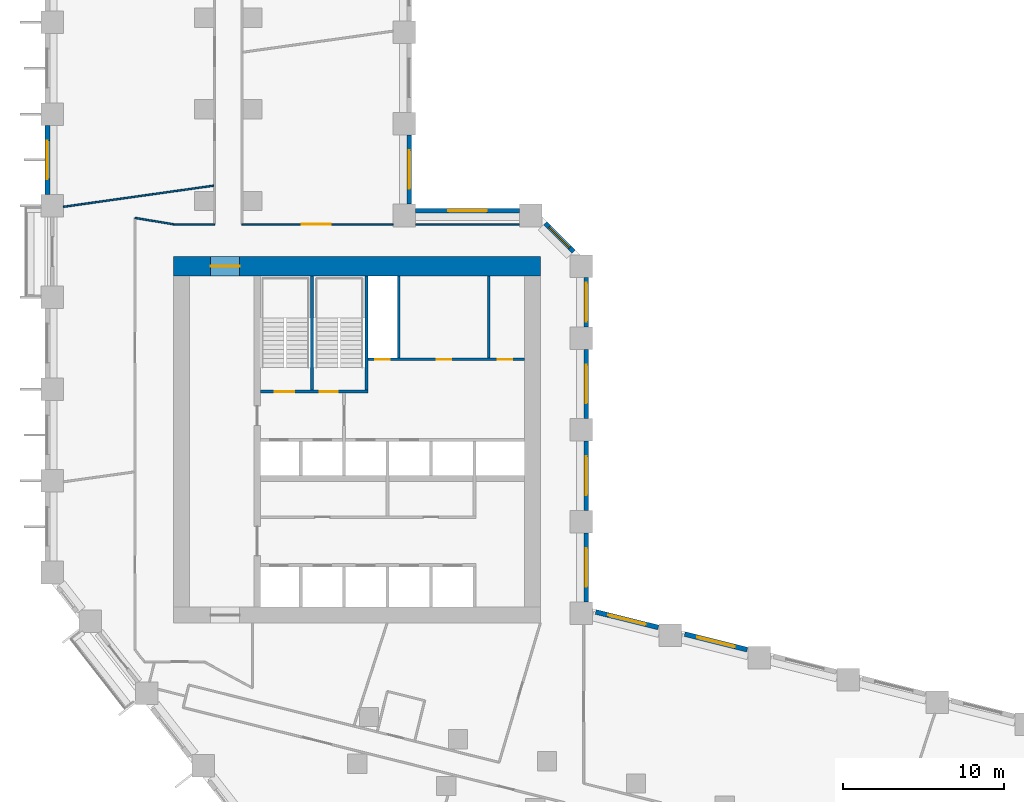
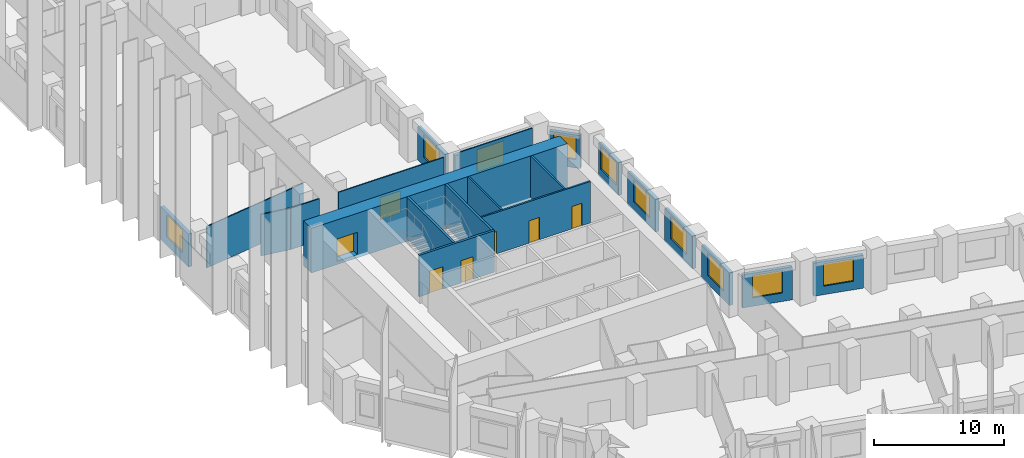
# One storey, part 6 of 12: 22 walls, 10 windows, 7 doors, 17 openings.
"""IFC4 building model written with IfcOpenShell, lengths in metres."""

from ifc_helpers import new_model, si_unit, direction, frame, frame_2d, origin, place, context, subcontext, project, spatial, rectangle, extrude, material, layer, layer_set, type_object, element, fill, save


model = new_model("IFC4")

# Units and contexts
model_context = context("Model", 3, precision=1e-05, world=origin(), true_north=direction((0.0, 1.0)))
body_context = subcontext(model_context, "Body", "Model", "MODEL_VIEW")
ifc_project = project(units=[si_unit("LENGTHUNIT", "METRE"), si_unit("AREAUNIT", "SQUARE_METRE"), si_unit("VOLUMEUNIT", "CUBIC_METRE"), si_unit("PLANEANGLEUNIT", "RADIAN"), si_unit("MASSUNIT", "GRAM", prefix="KILO")], contexts=[model_context])

# Site, building, storey
site_placement = place(None, origin())
site = spatial("IfcSite", under=ifc_project, at=site_placement, CompositionType="ELEMENT")
building_placement = place(site_placement, origin())
building = spatial("IfcBuilding", under=site, at=building_placement, Name="Meshkara Civic Tower", CompositionType="ELEMENT")
storey_placement = place(building_placement, frame((0.0, 0.0, 66.60009765625)))
storey = spatial("IfcBuildingStorey", under=building, at=storey_placement, Name="L14", CompositionType="ELEMENT", Elevation=66.60009765625)

# Wall, openings, doors
ifc_material_1 = material(Name="Blockwork", Category="masonry")
ifc_layer_1 = layer(ifc_material_1, 0.14990234375)
ifc_layer_set_1 = layer_set([ifc_layer_1], Name="Core partition 150")
wall_type_1 = type_object("IfcWallType", Name="Core partition 150", PredefinedType="PARTITIONING", material=ifc_layer_set_1)
wall_1_placement = place(storey_placement, frame((20.10009765625, 30.5, 0.0), z_axis=(0.0, 0.0, 1.0), x_axis=(1.0, 0.0, 0.0)))
wall_1 = element("IfcWall", 1, at=wall_1_placement, inside=storey, type_object=wall_type_1, Name="L14-C010", PredefinedType="PARTITIONING", context=body_context, shape_type="SweptSolid", body=[
    extrude(rectangle(XDim=9.699951171875, YDim=0.14990234375, at=frame_2d((4.85009765625, 0.0))), origin(), (0.0, 0.0, 1.0), 3.89990234375),
])
opening_1_placement = place(wall_1_placement, frame((0.449951171875, 0.0, 0.0)))
opening_1 = element("IfcOpeningElement", 2, at=opening_1_placement, cuts=wall_1, Name="Opening L14-K012", PredefinedType="OPENING", context=body_context, shape_type="SweptSolid", body=[
    extrude(rectangle(XDim=0.89990234375, YDim=2.10009765625, at=frame_2d((0.449951171875, 1.050048828125))), frame((0.0, 0.0849609375, 0.0), z_axis=(0.0, -1.0, 0.0), x_axis=(1.0, 0.0, 0.0)), (0.0, 0.0, 1.0), 0.169921875),
])
opening_2_placement = place(wall_1_placement, frame((4.25, 0.0, 0.0)))
opening_2 = element("IfcOpeningElement", 3, at=opening_2_placement, cuts=wall_1, Name="Opening L14-K013", PredefinedType="OPENING", context=body_context, shape_type="SweptSolid", body=[
    extrude(rectangle(XDim=0.89990234375, YDim=2.10009765625, at=frame_2d((0.449951171875, 1.050048828125))), frame((0.0, 0.0849609375, 0.0), z_axis=(0.0, -1.0, 0.0), x_axis=(1.0, 0.0, 0.0)), (0.0, 0.0, 1.0), 0.169921875),
])
opening_3_placement = place(wall_1_placement, frame((8.050048828125, 0.0, 0.0)))
opening_3 = element("IfcOpeningElement", 4, at=opening_3_placement, cuts=wall_1, Name="Opening L14-K014", PredefinedType="OPENING", context=body_context, shape_type="SweptSolid", body=[
    extrude(rectangle(XDim=0.89990234375, YDim=2.10009765625, at=frame_2d((0.449951171875, 1.050048828125))), frame((0.0, 0.0849609375, 0.0), z_axis=(0.0, -1.0, 0.0), x_axis=(1.0, 0.0, 0.0)), (0.0, 0.0, 1.0), 0.169921875),
])
ifc_material_2 = material(Name="Timber door leaf in steel frame", Category="steel")
door_type_1 = type_object("IfcDoorType", Name="Core room door 900", OperationType="SINGLE_SWING_LEFT", PredefinedType="DOOR", material=ifc_material_2)
door_1_placement = place(opening_2_placement, origin())
door_1 = element("IfcDoor", 5, at=door_1_placement, inside=storey, type_object=door_type_1, Name="L14-K013", OperationType="SINGLE_SWING_RIGHT", OverallHeight=2.10009765625, OverallWidth=0.89990234375, PredefinedType="DOOR", context=body_context, shape_type="SweptSolid", body=[
    extrude(rectangle(XDim=0.89990234375, YDim=2.10009765625, at=frame_2d((0.449951171875, 1.050048828125))), frame((0.0, 0.02490234375, 0.0), z_axis=(0.0, -1.0, 0.0), x_axis=(1.0, 0.0, 0.0)), (0.0, 0.0, 1.0), 0.050048828125),
])
fill(opening_2, door_1)
door_2_placement = place(opening_3_placement, origin())
door_2 = element("IfcDoor", 6, at=door_2_placement, inside=storey, type_object=door_type_1, Name="L14-K014", OperationType="SINGLE_SWING_RIGHT", OverallHeight=2.10009765625, OverallWidth=0.89990234375, PredefinedType="DOOR", context=body_context, shape_type="SweptSolid", body=[
    extrude(rectangle(XDim=0.89990234375, YDim=2.10009765625, at=frame_2d((0.449951171875, 1.050048828125))), frame((0.0, 0.02490234375, 0.0), z_axis=(0.0, -1.0, 0.0), x_axis=(1.0, 0.0, 0.0)), (0.0, 0.0, 1.0), 0.050048828125),
])
fill(opening_3, door_2)
ifc_material_3 = material(Name="Fire-rated door leaf in steel frame", Category="steel")
door_type_2 = type_object("IfcDoorType", Name="Riser door 900", OperationType="SINGLE_SWING_LEFT", PredefinedType="DOOR", material=ifc_material_3)
door_3_placement = place(opening_1_placement, origin())
door_3 = element("IfcDoor", 7, at=door_3_placement, inside=storey, type_object=door_type_2, Name="L14-K012", OperationType="SINGLE_SWING_RIGHT", OverallHeight=2.10009765625, OverallWidth=0.89990234375, PredefinedType="DOOR", context=body_context, shape_type="SweptSolid", body=[
    extrude(rectangle(XDim=0.89990234375, YDim=2.10009765625, at=frame_2d((0.449951171875, 1.050048828125))), frame((0.0, 0.02490234375, 0.0), z_axis=(0.0, -1.0, 0.0), x_axis=(1.0, 0.0, 0.0)), (0.0, 0.0, 1.0), 0.050048828125),
])
fill(opening_1, door_3)

# Walls
for number, where, z_axis, x_axis, name in (
    (8, (22.0, 30.574951171875, 0.0), (0.0, 0.0, 1.0), (0.0, 1.0, 0.0), "L14-C020"),
    (9, (27.60009765625, 30.574951171875, 0.0), (0.0, 0.0, 1.0), (0.0, 1.0, 0.0), "L14-C025"),
):
    element("IfcWall", number, at=place(storey_placement, frame(where, z_axis=z_axis, x_axis=x_axis)), inside=storey, type_object=wall_type_1, Name=name, PredefinedType="PARTITIONING", context=body_context, shape_type="SweptSolid", body=[
        extrude(rectangle(XDim=5.125, YDim=0.14990234375, at=frame_2d((2.5625, 0.0))), origin(), (0.0, 0.0, 1.0), 3.89990234375),
    ])

# Wall, opening, door
ifc_material_4 = material(Name="Concrete C80", Category="concrete")
ifc_layer_2 = layer(ifc_material_4, 1.199951171875)
ifc_layer_set_2 = layer_set([ifc_layer_2], Name="Core ring wall 1200 C80")
wall_type_2 = type_object("IfcWallType", Name="Core ring wall 1200 C80", PredefinedType="SHEAR", material=ifc_layer_set_2)
wall_2_placement = place(storey_placement, frame((8.0, 36.300048828125, -0.300048828125), z_axis=(0.0, 0.0, 1.0), x_axis=(1.0, 0.0, 0.0)))
wall_2 = element("IfcWall", 10, at=wall_2_placement, inside=storey, type_object=wall_type_2, Name="L14-C002", PredefinedType="SHEAR", context=body_context, shape_type="SweptSolid", body=[
    extrude(rectangle(XDim=22.800048828125, YDim=1.199951171875, at=frame_2d((11.39990234375, 0.0))), origin(), (0.0, 0.0, 1.0), 4.199951171875),
])
opening_4_placement = place(wall_2_placement, frame((2.300048828125, 0.0, 0.300048828125)))
opening_4 = element("IfcOpeningElement", 11, at=opening_4_placement, cuts=wall_2, Name="Opening L14-K020", PredefinedType="OPENING", context=body_context, shape_type="SweptSolid", body=[
    extrude(rectangle(XDim=1.800048828125, YDim=2.10009765625, at=frame_2d((0.89990234375, 1.050048828125))), frame((0.0, 0.60986328125, 0.0), z_axis=(0.0, -1.0, 0.0), x_axis=(1.0, 0.0, 0.0)), (0.0, 0.0, 1.0), 1.219970703125),
])
ifc_material_5 = material(Name="Fire-rated door leaf in steel frame", Category="steel")
door_type_3 = type_object("IfcDoorType", Name="Core double door 1800 EI 60", OperationType="DOUBLE_DOOR_SINGLE_SWING", PredefinedType="DOOR", material=ifc_material_5)
door_4_placement = place(opening_4_placement, origin())
door_4 = element("IfcDoor", 12, at=door_4_placement, inside=storey, type_object=door_type_3, Name="L14-K020", OperationType="DOUBLE_DOOR_SINGLE_SWING", OverallHeight=2.10009765625, OverallWidth=1.800048828125, PredefinedType="DOOR", context=body_context, shape_type="SweptSolid", body=[
    extrude(rectangle(XDim=1.800048828125, YDim=2.10009765625, at=frame_2d((0.89990234375, 1.050048828125))), frame((0.0, 0.02490234375, 0.0), z_axis=(0.0, -1.0, 0.0), x_axis=(1.0, 0.0, 0.0)), (0.0, 0.0, 1.0), 0.050048828125),
])
fill(opening_4, door_4)

# Walls
ifc_material_6 = material(Name="Corridor wall 100")
ifc_layer_3 = layer(ifc_material_6, 0.10009765625)
ifc_layer_set_3 = layer_set([ifc_layer_3], Name="Corridor wall 100")
wall_type_3 = type_object("IfcWallType", Name="Corridor wall 100", PredefinedType="PARTITIONING", material=ifc_layer_set_3)
wall_3_placement = place(storey_placement, frame((8.0, 38.89990234375, 0.0), z_axis=(0.0, 0.0, 1.0), x_axis=(-0.986383073668, 0.16446407505, 0.0)))
element("IfcWall", 13, at=wall_3_placement, inside=storey, type_object=wall_type_3, Name="L14-W007", PredefinedType="PARTITIONING", context=body_context, shape_type="SweptSolid", body=[
    extrude(rectangle(XDim=2.43310546875, YDim=0.10009765625, at=frame_2d((1.216552734375, 0.0))), origin(), (0.0, 0.0, 1.0), 3.89990234375),
])
wall_4_placement = place(storey_placement, frame((10.550048828125, 38.89990234375, 0.0), z_axis=(0.0, 0.0, 1.0), x_axis=(-1.0, 0.0, 0.0)))
element("IfcWall", 14, at=wall_4_placement, inside=storey, type_object=wall_type_3, Name="L14-W012", PredefinedType="PARTITIONING", context=body_context, shape_type="SweptSolid", body=[
    extrude(rectangle(XDim=2.550048828125, YDim=0.10009765625, at=frame_2d((1.27490234375, 0.0))), origin(), (0.0, 0.0, 1.0), 3.89990234375),
])

# Wall, opening, door
wall_5_placement = place(storey_placement, frame((21.64990234375, 38.89990234375, 0.0), z_axis=(0.0, 0.0, 1.0), x_axis=(-1.0, 0.0, 0.0)))
wall_5 = element("IfcWall", 15, at=wall_5_placement, inside=storey, type_object=wall_type_3, Name="L14-W019", PredefinedType="PARTITIONING", context=body_context, shape_type="SweptSolid", body=[
    extrude(rectangle(XDim=9.39990234375, YDim=0.10009765625, at=frame_2d((4.699951171875, 0.0))), origin(), (0.0, 0.0, 1.0), 3.89990234375),
])
opening_5_placement = place(wall_5_placement, frame((3.8798828125, 0.0, 0.0)))
opening_5 = element("IfcOpeningElement", 16, at=opening_5_placement, cuts=wall_5, Name="Opening L14-D019", PredefinedType="OPENING", context=body_context, shape_type="SweptSolid", body=[
    extrude(rectangle(XDim=1.800048828125, YDim=2.10009765625, at=frame_2d((0.89990234375, 1.050048828125))), frame((0.0, 0.06005859375, 0.0), z_axis=(0.0, -1.0, 0.0), x_axis=(1.0, 0.0, 0.0)), (0.0, 0.0, 1.0), 0.1201171875),
])
ifc_material_7 = material(Name="Door pair 1800 x 2100")
door_type_4 = type_object("IfcDoorType", Name="Door pair 1800 x 2100", OperationType="SINGLE_SWING_LEFT", PredefinedType="DOOR", material=ifc_material_7)
door_5_placement = place(opening_5_placement, origin())
door_5 = element("IfcDoor", 17, at=door_5_placement, inside=storey, type_object=door_type_4, Name="L14-D019", OperationType="DOUBLE_DOOR_SINGLE_SWING", OverallHeight=2.10009765625, OverallWidth=1.800048828125, PredefinedType="DOOR", context=body_context, shape_type="SweptSolid", body=[
    extrude(rectangle(XDim=1.800048828125, YDim=2.10009765625, at=frame_2d((0.89990234375, 1.050048828125))), frame((0.0, 0.02490234375, 0.0), z_axis=(0.0, -1.0, 0.0), x_axis=(1.0, 0.0, 0.0)), (0.0, 0.0, 1.0), 0.050048828125),
])
fill(opening_5, door_5)

# Wall
wall_6_placement = place(storey_placement, frame((29.493896484375, 38.89990234375, 0.0), z_axis=(0.0, 0.0, 1.0), x_axis=(-1.0, 0.0, 0.0)))
element("IfcWall", 18, at=wall_6_placement, inside=storey, type_object=wall_type_3, Name="L14-W020", PredefinedType="PARTITIONING", context=body_context, shape_type="SweptSolid", body=[
    extrude(rectangle(XDim=6.44384765625, YDim=0.10009765625, at=frame_2d((3.221923828125, 0.0))), origin(), (0.0, 0.0, 1.0), 3.89990234375),
])

# Wall, opening, window
ifc_material_8 = material(Name="Insulated infill panel with bronze anodised aluminium cladding", Category="aluminium")
ifc_layer_4 = layer(ifc_material_8, 0.300048828125)
ifc_layer_set_4 = layer_set([ifc_layer_4], Name="EXTERNAL INFILL WALL 300")
wall_type_4 = type_object("IfcWallType", Name="EXTERNAL INFILL WALL 300", PredefinedType="SOLIDWALL", material=ifc_layer_set_4)
wall_7_placement = place(storey_placement, frame((43.659912109375, 12.4580078125, 0.0), z_axis=(0.0, 0.0, 1.0), x_axis=(-0.970300202301, 0.241903942538, 0.0)))
wall_7 = element("IfcWall", 19, at=wall_7_placement, inside=storey, type_object=wall_type_4, Name="External wall", PredefinedType="SOLIDWALL", context=body_context, shape_type="SweptSolid", body=[
    extrude(rectangle(XDim=4.001708984375, YDim=0.300048828125, at=frame_2d((2.0009765625, 0.0))), origin(), (0.0, 0.0, 1.0), 3.099853515625),
])
opening_6_placement = place(wall_7_placement, frame((0.801025390625, 0.0, 0.800048828125)))
opening_6 = element("IfcOpeningElement", 20, at=opening_6_placement, cuts=wall_7, Name="Opening W7", PredefinedType="OPENING", context=body_context, shape_type="SweptSolid", body=[
    extrude(rectangle(XDim=2.39990234375, YDim=2.10009765625, at=frame_2d((1.199951171875, 1.050048828125))), frame((0.0, 0.159912109375, 0.0), z_axis=(0.0, -1.0, 0.0), x_axis=(1.0, 0.0, 0.0)), (0.0, 0.0, 1.0), 0.320068359375),
])
ifc_material_9 = material(Name="Tinted double glazing", Category="glass")
window_type_1 = type_object("IfcWindowType", Name="WINDOW 2400x2100", PartitioningType="DOUBLE_PANEL_VERTICAL", PredefinedType="WINDOW", material=ifc_material_9)
window_1_placement = place(opening_6_placement, origin())
window_1 = element("IfcWindow", 21, at=window_1_placement, inside=storey, type_object=window_type_1, Name="Window", OverallHeight=2.10009765625, OverallWidth=2.39990234375, PartitioningType="DOUBLE_PANEL_VERTICAL", PredefinedType="WINDOW", context=body_context, shape_type="SweptSolid", body=[
    extrude(rectangle(XDim=2.39990234375, YDim=2.10009765625, at=frame_2d((1.199951171875, 1.050048828125))), frame((0.0, 0.030029296875, 0.0), z_axis=(0.0, -1.0, 0.0), x_axis=(1.0, 0.0, 0.0)), (0.0, 0.0, 1.0), 0.06005859375),
])
fill(opening_6, window_1)

wall_8_placement = place(storey_placement, frame((38.1298828125, 13.8369140625, 0.0), z_axis=(0.0, 0.0, 1.0), x_axis=(-0.970314477803, 0.241846674911, 0.0)))
wall_8 = element("IfcWall", 22, at=wall_8_placement, inside=storey, type_object=wall_type_4, Name="External wall", PredefinedType="SOLIDWALL", context=body_context, shape_type="SweptSolid", body=[
    extrude(rectangle(XDim=4.002685546875, YDim=0.300048828125, at=frame_2d((2.00146484375, 0.0))), origin(), (0.0, 0.0, 1.0), 3.099853515625),
])
opening_7_placement = place(wall_8_placement, frame((0.802001953125, 0.0, 0.800048828125)))
opening_7 = element("IfcOpeningElement", 23, at=opening_7_placement, cuts=wall_8, Name="Opening W7", PredefinedType="OPENING", context=body_context, shape_type="SweptSolid", body=[
    extrude(rectangle(XDim=2.39990234375, YDim=2.10009765625, at=frame_2d((1.199951171875, 1.050048828125))), frame((0.0, 0.159912109375, 0.0), z_axis=(0.0, -1.0, 0.0), x_axis=(1.0, 0.0, 0.0)), (0.0, 0.0, 1.0), 0.320068359375),
])
window_2_placement = place(opening_7_placement, origin())
window_2 = element("IfcWindow", 24, at=window_2_placement, inside=storey, type_object=window_type_1, Name="Window", OverallHeight=2.10009765625, OverallWidth=2.39990234375, PartitioningType="DOUBLE_PANEL_VERTICAL", PredefinedType="WINDOW", context=body_context, shape_type="SweptSolid", body=[
    extrude(rectangle(XDim=2.39990234375, YDim=2.10009765625, at=frame_2d((1.199951171875, 1.050048828125))), frame((0.0, 0.030029296875, 0.0), z_axis=(0.0, -1.0, 0.0), x_axis=(1.0, 0.0, 0.0)), (0.0, 0.0, 1.0), 0.06005859375),
])
fill(opening_7, window_2)

wall_9_placement = place(storey_placement, frame((33.64990234375, 15.4189453125, 0.0), z_axis=(0.0, 0.0, 1.0), x_axis=(0.0, 1.0, 0.0)))
wall_9 = element("IfcWall", 25, at=wall_9_placement, inside=storey, type_object=wall_type_4, Name="External wall", PredefinedType="SOLIDWALL", context=body_context, shape_type="SweptSolid", body=[
    extrude(rectangle(XDim=4.300048828125, YDim=0.300048828125, at=frame_2d((2.14990234375, 0.0))), origin(), (0.0, 0.0, 1.0), 3.099853515625),
])
opening_8_placement = place(wall_9_placement, frame((0.949951171875, 0.0, 0.800048828125)))
opening_8 = element("IfcOpeningElement", 26, at=opening_8_placement, cuts=wall_9, Name="Opening W7", PredefinedType="OPENING", context=body_context, shape_type="SweptSolid", body=[
    extrude(rectangle(XDim=2.39990234375, YDim=2.10009765625, at=frame_2d((1.199951171875, 1.050048828125))), frame((0.0, 0.159912109375, 0.0), z_axis=(0.0, -1.0, 0.0), x_axis=(1.0, 0.0, 0.0)), (0.0, 0.0, 1.0), 0.320068359375),
])
window_3_placement = place(opening_8_placement, origin())
window_3 = element("IfcWindow", 27, at=window_3_placement, inside=storey, type_object=window_type_1, Name="Window", OverallHeight=2.10009765625, OverallWidth=2.39990234375, PartitioningType="DOUBLE_PANEL_VERTICAL", PredefinedType="WINDOW", context=body_context, shape_type="SweptSolid", body=[
    extrude(rectangle(XDim=2.39990234375, YDim=2.10009765625, at=frame_2d((1.199951171875, 1.050048828125))), frame((0.0, 0.030029296875, 0.0), z_axis=(0.0, -1.0, 0.0), x_axis=(1.0, 0.0, 0.0)), (0.0, 0.0, 1.0), 0.06005859375),
])
fill(opening_8, window_3)

wall_10_placement = place(storey_placement, frame((33.64990234375, 21.118896484375, 0.0), z_axis=(0.0, 0.0, 1.0), x_axis=(0.0, 1.0, 0.0)))
wall_10 = element("IfcWall", 28, at=wall_10_placement, inside=storey, type_object=wall_type_4, Name="External wall", PredefinedType="SOLIDWALL", context=body_context, shape_type="SweptSolid", body=[
    extrude(rectangle(XDim=4.300048828125, YDim=0.300048828125, at=frame_2d((2.14990234375, 0.0))), origin(), (0.0, 0.0, 1.0), 3.099853515625),
])
opening_9_placement = place(wall_10_placement, frame((0.949951171875, 0.0, 0.800048828125)))
opening_9 = element("IfcOpeningElement", 29, at=opening_9_placement, cuts=wall_10, Name="Opening W7", PredefinedType="OPENING", context=body_context, shape_type="SweptSolid", body=[
    extrude(rectangle(XDim=2.39990234375, YDim=2.10009765625, at=frame_2d((1.199951171875, 1.050048828125))), frame((0.0, 0.159912109375, 0.0), z_axis=(0.0, -1.0, 0.0), x_axis=(1.0, 0.0, 0.0)), (0.0, 0.0, 1.0), 0.320068359375),
])
window_4_placement = place(opening_9_placement, origin())
window_4 = element("IfcWindow", 30, at=window_4_placement, inside=storey, type_object=window_type_1, Name="Window", OverallHeight=2.10009765625, OverallWidth=2.39990234375, PartitioningType="DOUBLE_PANEL_VERTICAL", PredefinedType="WINDOW", context=body_context, shape_type="SweptSolid", body=[
    extrude(rectangle(XDim=2.39990234375, YDim=2.10009765625, at=frame_2d((1.199951171875, 1.050048828125))), frame((0.0, 0.030029296875, 0.0), z_axis=(0.0, -1.0, 0.0), x_axis=(1.0, 0.0, 0.0)), (0.0, 0.0, 1.0), 0.06005859375),
])
fill(opening_9, window_4)

wall_11_placement = place(storey_placement, frame((33.64990234375, 26.819091796875, 0.0), z_axis=(0.0, 0.0, 1.0), x_axis=(0.0, 1.0, 0.0)))
wall_11 = element("IfcWall", 31, at=wall_11_placement, inside=storey, type_object=wall_type_4, Name="External wall", PredefinedType="SOLIDWALL", context=body_context, shape_type="SweptSolid", body=[
    extrude(rectangle(XDim=4.2998046875, YDim=0.300048828125, at=frame_2d((2.14990234375, 0.0))), origin(), (0.0, 0.0, 1.0), 3.099853515625),
])
opening_10_placement = place(wall_11_placement, frame((0.949951171875, 0.0, 0.800048828125)))
opening_10 = element("IfcOpeningElement", 32, at=opening_10_placement, cuts=wall_11, Name="Opening W7", PredefinedType="OPENING", context=body_context, shape_type="SweptSolid", body=[
    extrude(rectangle(XDim=2.39990234375, YDim=2.10009765625, at=frame_2d((1.199951171875, 1.050048828125))), frame((0.0, 0.159912109375, 0.0), z_axis=(0.0, -1.0, 0.0), x_axis=(1.0, 0.0, 0.0)), (0.0, 0.0, 1.0), 0.320068359375),
])
window_5_placement = place(opening_10_placement, origin())
window_5 = element("IfcWindow", 33, at=window_5_placement, inside=storey, type_object=window_type_1, Name="Window", OverallHeight=2.10009765625, OverallWidth=2.39990234375, PartitioningType="DOUBLE_PANEL_VERTICAL", PredefinedType="WINDOW", context=body_context, shape_type="SweptSolid", body=[
    extrude(rectangle(XDim=2.39990234375, YDim=2.10009765625, at=frame_2d((1.199951171875, 1.050048828125))), frame((0.0, 0.030029296875, 0.0), z_axis=(0.0, -1.0, 0.0), x_axis=(1.0, 0.0, 0.0)), (0.0, 0.0, 1.0), 0.06005859375),
])
fill(opening_10, window_5)

wall_12_placement = place(storey_placement, frame((33.64990234375, 32.51904296875, 0.0), z_axis=(0.0, 0.0, 1.0), x_axis=(0.0, 1.0, 0.0)))
wall_12 = element("IfcWall", 34, at=wall_12_placement, inside=storey, type_object=wall_type_4, Name="External wall", PredefinedType="SOLIDWALL", context=body_context, shape_type="SweptSolid", body=[
    extrude(rectangle(XDim=3.074951171875, YDim=0.300048828125, at=frame_2d((1.53759765625, 0.0))), origin(), (0.0, 0.0, 1.0), 3.099853515625),
])
opening_11_placement = place(wall_12_placement, frame((0.337890625, 0.0, 0.800048828125)))
opening_11 = element("IfcOpeningElement", 35, at=opening_11_placement, cuts=wall_12, Name="Opening W7", PredefinedType="OPENING", context=body_context, shape_type="SweptSolid", body=[
    extrude(rectangle(XDim=2.39990234375, YDim=2.10009765625, at=frame_2d((1.199951171875, 1.050048828125))), frame((0.0, 0.159912109375, 0.0), z_axis=(0.0, -1.0, 0.0), x_axis=(1.0, 0.0, 0.0)), (0.0, 0.0, 1.0), 0.320068359375),
])
window_6_placement = place(opening_11_placement, origin())
window_6 = element("IfcWindow", 36, at=window_6_placement, inside=storey, type_object=window_type_1, Name="Window", OverallHeight=2.10009765625, OverallWidth=2.39990234375, PartitioningType="DOUBLE_PANEL_VERTICAL", PredefinedType="WINDOW", context=body_context, shape_type="SweptSolid", body=[
    extrude(rectangle(XDim=2.39990234375, YDim=2.10009765625, at=frame_2d((1.199951171875, 1.050048828125))), frame((0.0, 0.030029296875, 0.0), z_axis=(0.0, -1.0, 0.0), x_axis=(1.0, 0.0, 0.0)), (0.0, 0.0, 1.0), 0.06005859375),
])
fill(opening_11, window_6)

wall_13_placement = place(storey_placement, frame((32.862060546875, 37.2060546875, 0.0), z_axis=(0.0, 0.0, 1.0), x_axis=(-0.707155935319, 0.707057623637, 0.0)))
wall_13 = element("IfcWall", 37, at=wall_13_placement, inside=storey, type_object=wall_type_4, Name="External wall", PredefinedType="SOLIDWALL", context=body_context, shape_type="SweptSolid", body=[
    extrude(rectangle(XDim=2.4833984375, YDim=0.300048828125, at=frame_2d((1.24169921875, 0.0))), origin(), (0.0, 0.0, 1.0), 3.099853515625),
])
opening_12_placement = place(wall_13_placement, frame((0.342041015625, 0.0, 0.800048828125)))
opening_12 = element("IfcOpeningElement", 38, at=opening_12_placement, cuts=wall_13, Name="Opening W9", PredefinedType="OPENING", context=body_context, shape_type="SweptSolid", body=[
    extrude(rectangle(XDim=1.800048828125, YDim=2.10009765625, at=frame_2d((0.89990234375, 1.050048828125))), frame((0.0, 0.159912109375, 0.0), z_axis=(0.0, -1.0, 0.0), x_axis=(1.0, 0.0, 0.0)), (0.0, 0.0, 1.0), 0.320068359375),
])
ifc_material_10 = material(Name="Tinted double glazing", Category="glass")
window_type_2 = type_object("IfcWindowType", Name="WINDOW 1800x2100", PartitioningType="DOUBLE_PANEL_VERTICAL", PredefinedType="WINDOW", material=ifc_material_10)
window_7_placement = place(opening_12_placement, origin())
window_7 = element("IfcWindow", 39, at=window_7_placement, inside=storey, type_object=window_type_2, Name="Window", OverallHeight=2.10009765625, OverallWidth=1.800048828125, PartitioningType="DOUBLE_PANEL_VERTICAL", PredefinedType="WINDOW", context=body_context, shape_type="SweptSolid", body=[
    extrude(rectangle(XDim=1.800048828125, YDim=2.10009765625, at=frame_2d((0.89990234375, 1.050048828125))), frame((0.0, 0.030029296875, 0.0), z_axis=(0.0, -1.0, 0.0), x_axis=(1.0, 0.0, 0.0)), (0.0, 0.0, 1.0), 0.06005859375),
])
fill(opening_12, window_7)

wall_14_placement = place(storey_placement, frame((29.493896484375, 39.75, 0.0), z_axis=(0.0, 0.0, 1.0), x_axis=(-1.0, 0.0, 0.0)))
wall_14 = element("IfcWall", 40, at=wall_14_placement, inside=storey, type_object=wall_type_4, Name="External wall", PredefinedType="SOLIDWALL", context=body_context, shape_type="SweptSolid", body=[
    extrude(rectangle(XDim=6.44384765625, YDim=0.300048828125, at=frame_2d((3.221923828125, 0.0))), origin(), (0.0, 0.0, 1.0), 3.099853515625),
])
opening_13_placement = place(wall_14_placement, frame((2.02197265625, 0.0, 0.800048828125)))
opening_13 = element("IfcOpeningElement", 41, at=opening_13_placement, cuts=wall_14, Name="Opening W7", PredefinedType="OPENING", context=body_context, shape_type="SweptSolid", body=[
    extrude(rectangle(XDim=2.39990234375, YDim=2.10009765625, at=frame_2d((1.199951171875, 1.050048828125))), frame((0.0, 0.159912109375, 0.0), z_axis=(0.0, -1.0, 0.0), x_axis=(1.0, 0.0, 0.0)), (0.0, 0.0, 1.0), 0.320068359375),
])
window_8_placement = place(opening_13_placement, origin())
window_8 = element("IfcWindow", 42, at=window_8_placement, inside=storey, type_object=window_type_1, Name="Window", OverallHeight=2.10009765625, OverallWidth=2.39990234375, PartitioningType="DOUBLE_PANEL_VERTICAL", PredefinedType="WINDOW", context=body_context, shape_type="SweptSolid", body=[
    extrude(rectangle(XDim=2.39990234375, YDim=2.10009765625, at=frame_2d((1.199951171875, 1.050048828125))), frame((0.0, 0.030029296875, 0.0), z_axis=(0.0, -1.0, 0.0), x_axis=(1.0, 0.0, 0.0)), (0.0, 0.0, 1.0), 0.06005859375),
])
fill(opening_13, window_8)

wall_15_placement = place(storey_placement, frame((22.64990234375, 40.14990234375, 0.0), z_axis=(0.0, 0.0, 1.0), x_axis=(0.0, 1.0, 0.0)))
wall_15 = element("IfcWall", 43, at=wall_15_placement, inside=storey, type_object=wall_type_4, Name="External wall", PredefinedType="SOLIDWALL", context=body_context, shape_type="SweptSolid", body=[
    extrude(rectangle(XDim=4.300048828125, YDim=0.300048828125, at=frame_2d((2.14990234375, 0.0))), origin(), (0.0, 0.0, 1.0), 3.099853515625),
])
opening_14_placement = place(wall_15_placement, frame((0.949951171875, 0.0, 0.800048828125)))
opening_14 = element("IfcOpeningElement", 44, at=opening_14_placement, cuts=wall_15, Name="Opening W7", PredefinedType="OPENING", context=body_context, shape_type="SweptSolid", body=[
    extrude(rectangle(XDim=2.39990234375, YDim=2.10009765625, at=frame_2d((1.199951171875, 1.050048828125))), frame((0.0, 0.159912109375, 0.0), z_axis=(0.0, -1.0, 0.0), x_axis=(1.0, 0.0, 0.0)), (0.0, 0.0, 1.0), 0.320068359375),
])
window_9_placement = place(opening_14_placement, origin())
window_9 = element("IfcWindow", 45, at=window_9_placement, inside=storey, type_object=window_type_1, Name="Window", OverallHeight=2.10009765625, OverallWidth=2.39990234375, PartitioningType="DOUBLE_PANEL_VERTICAL", PredefinedType="WINDOW", context=body_context, shape_type="SweptSolid", body=[
    extrude(rectangle(XDim=2.39990234375, YDim=2.10009765625, at=frame_2d((1.199951171875, 1.050048828125))), frame((0.0, 0.030029296875, 0.0), z_axis=(0.0, -1.0, 0.0), x_axis=(1.0, 0.0, 0.0)), (0.0, 0.0, 1.0), 0.06005859375),
])
fill(opening_14, window_9)

wall_16_placement = place(storey_placement, frame((0.14990234375, 45.054931640625, 0.0), z_axis=(0.0, 0.0, 1.0), x_axis=(0.0, -1.0, 0.0)))
wall_16 = element("IfcWall", 46, at=wall_16_placement, inside=storey, type_object=wall_type_4, Name="External wall", PredefinedType="SOLIDWALL", context=body_context, shape_type="SweptSolid", body=[
    extrude(rectangle(XDim=4.300048828125, YDim=0.300048828125, at=frame_2d((2.14990234375, 0.0))), origin(), (0.0, 0.0, 1.0), 3.099853515625),
])
opening_15_placement = place(wall_16_placement, frame((0.949951171875, 0.0, 0.800048828125)))
opening_15 = element("IfcOpeningElement", 47, at=opening_15_placement, cuts=wall_16, Name="Opening W7", PredefinedType="OPENING", context=body_context, shape_type="SweptSolid", body=[
    extrude(rectangle(XDim=2.39990234375, YDim=2.10009765625, at=frame_2d((1.199951171875, 1.050048828125))), frame((0.0, 0.159912109375, 0.0), z_axis=(0.0, -1.0, 0.0), x_axis=(1.0, 0.0, 0.0)), (0.0, 0.0, 1.0), 0.320068359375),
])
window_10_placement = place(opening_15_placement, origin())
window_10 = element("IfcWindow", 48, at=window_10_placement, inside=storey, type_object=window_type_1, Name="Window", OverallHeight=2.10009765625, OverallWidth=2.39990234375, PartitioningType="DOUBLE_PANEL_VERTICAL", PredefinedType="WINDOW", context=body_context, shape_type="SweptSolid", body=[
    extrude(rectangle(XDim=2.39990234375, YDim=2.10009765625, at=frame_2d((1.199951171875, 1.050048828125))), frame((0.0, 0.030029296875, 0.0), z_axis=(0.0, -1.0, 0.0), x_axis=(1.0, 0.0, 0.0)), (0.0, 0.0, 1.0), 0.06005859375),
])
fill(opening_15, window_10)

# Wall
ifc_material_11 = material(Name="Partition 100")
ifc_layer_5 = layer(ifc_material_11, 0.10009765625)
ifc_layer_set_5 = layer_set([ifc_layer_5], Name="Partition 100")
wall_type_5 = type_object("IfcWallType", Name="Partition 100", PredefinedType="PARTITIONING", material=ifc_layer_set_5)
wall_17_placement = place(storey_placement, frame((10.492919921875, 41.304931640625, 0.0), z_axis=(0.0, 0.0, 1.0), x_axis=(-0.990255073415, -0.139265536207, 0.0)))
element("IfcWall", 49, at=wall_17_placement, inside=storey, type_object=wall_type_5, Name="L14-W037", PredefinedType="PARTITIONING", context=body_context, shape_type="SweptSolid", body=[
    extrude(rectangle(XDim=9.43505859375, YDim=0.10009765625, at=frame_2d((4.717529296875, 0.0))), origin(), (0.0, 0.0, 1.0), 3.89990234375),
])

# Wall, openings, doors
ifc_material_12 = material(Name="Concrete C40/50", Category="concrete")
ifc_layer_6 = layer(ifc_material_12, 0.199951171875)
ifc_layer_set_6 = layer_set([ifc_layer_6], Name="Stair enclosure wall 200 C40/50")
wall_type_6 = type_object("IfcWallType", Name="Stair enclosure wall 200 C40/50", PredefinedType="SOLIDWALL", material=ifc_layer_set_6)
wall_18_placement = place(storey_placement, frame((13.39990234375, 28.5, 0.0), z_axis=(0.0, 0.0, 1.0), x_axis=(1.0, 0.0, 0.0)))
wall_18 = element("IfcWall", 50, at=wall_18_placement, inside=storey, type_object=wall_type_6, Name="L14-C009", PredefinedType="SOLIDWALL", context=body_context, shape_type="SweptSolid", body=[
    extrude(rectangle(XDim=6.7001953125, YDim=0.199951171875, at=frame_2d((3.35009765625, 0.0))), origin(), (0.0, 0.0, 1.0), 3.89990234375),
])
opening_16_placement = place(wall_18_placement, frame((0.89990234375, 0.0, 0.0)))
opening_16 = element("IfcOpeningElement", 51, at=opening_16_placement, cuts=wall_18, Name="Opening L14-K015", PredefinedType="OPENING", context=body_context, shape_type="SweptSolid", body=[
    extrude(rectangle(XDim=1.199951171875, YDim=2.10009765625, at=frame_2d((0.60009765625, 1.050048828125))), frame((0.0, 0.10986328125, 0.0), z_axis=(0.0, -1.0, 0.0), x_axis=(1.0, 0.0, 0.0)), (0.0, 0.0, 1.0), 0.219970703125),
])
opening_17_placement = place(wall_18_placement, frame((3.699951171875, 0.0, 0.0)))
opening_17 = element("IfcOpeningElement", 52, at=opening_17_placement, cuts=wall_18, Name="Opening L14-K016", PredefinedType="OPENING", context=body_context, shape_type="SweptSolid", body=[
    extrude(rectangle(XDim=1.10009765625, YDim=2.10009765625, at=frame_2d((0.550048828125, 1.050048828125))), frame((0.0, 0.10986328125, 0.0), z_axis=(0.0, -1.0, 0.0), x_axis=(1.0, 0.0, 0.0)), (0.0, 0.0, 1.0), 0.219970703125),
])
ifc_material_13 = material(Name="Fire-rated door leaf in steel frame", Category="steel")
door_type_5 = type_object("IfcDoorType", Name="Stair door 1100 EI 120", OperationType="SINGLE_SWING_LEFT", PredefinedType="DOOR", material=ifc_material_13)
door_6_placement = place(opening_17_placement, origin())
door_6 = element("IfcDoor", 53, at=door_6_placement, inside=storey, type_object=door_type_5, Name="L14-K016", OperationType="SINGLE_SWING_LEFT", OverallHeight=2.10009765625, OverallWidth=1.10009765625, PredefinedType="DOOR", context=body_context, shape_type="SweptSolid", body=[
    extrude(rectangle(XDim=1.10009765625, YDim=2.10009765625, at=frame_2d((0.550048828125, 1.050048828125))), frame((0.0, 0.02490234375, 0.0), z_axis=(0.0, -1.0, 0.0), x_axis=(1.0, 0.0, 0.0)), (0.0, 0.0, 1.0), 0.050048828125),
])
fill(opening_17, door_6)
ifc_material_14 = material(Name="Fire-rated door leaf in steel frame", Category="steel")
door_type_6 = type_object("IfcDoorType", Name="Stair door 1200 EI 120", OperationType="SINGLE_SWING_LEFT", PredefinedType="DOOR", material=ifc_material_14)
door_7_placement = place(opening_16_placement, origin())
door_7 = element("IfcDoor", 54, at=door_7_placement, inside=storey, type_object=door_type_6, Name="L14-K015", OperationType="SINGLE_SWING_RIGHT", OverallHeight=2.10009765625, OverallWidth=1.199951171875, PredefinedType="DOOR", context=body_context, shape_type="SweptSolid", body=[
    extrude(rectangle(XDim=1.199951171875, YDim=2.10009765625, at=frame_2d((0.60009765625, 1.050048828125))), frame((0.0, 0.02490234375, 0.0), z_axis=(0.0, -1.0, 0.0), x_axis=(1.0, 0.0, 0.0)), (0.0, 0.0, 1.0), 0.050048828125),
])
fill(opening_16, door_7)

# Walls
for number, where, z_axis, x_axis, name in (
    (55, (16.60009765625, 28.60009765625, 0.0), (0.0, 0.0, 1.0), (0.0, 1.0, 0.0), "L14-C014"),
    (56, (20.0, 28.60009765625, 0.0), (0.0, 0.0, 1.0), (0.0, 1.0, 0.0), "L14-C017"),
):
    element("IfcWall", number, at=place(storey_placement, frame(where, z_axis=z_axis, x_axis=x_axis)), inside=storey, type_object=wall_type_6, Name=name, PredefinedType="SOLIDWALL", context=body_context, shape_type="SweptSolid", body=[
        extrude(rectangle(XDim=7.099853515625, YDim=0.199951171875, at=frame_2d((3.5498046875, 0.0))), origin(), (0.0, 0.0, 1.0), 3.89990234375),
    ])

save(model, "model.ifc")
